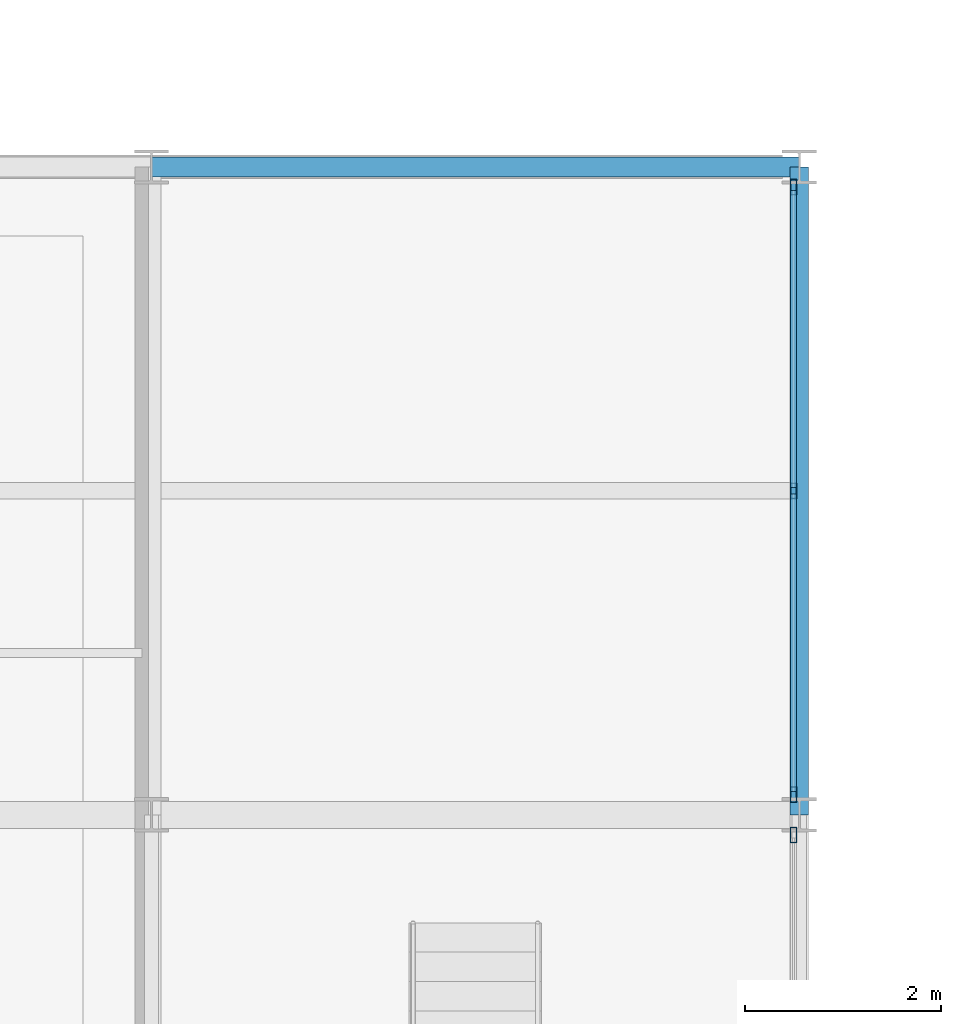
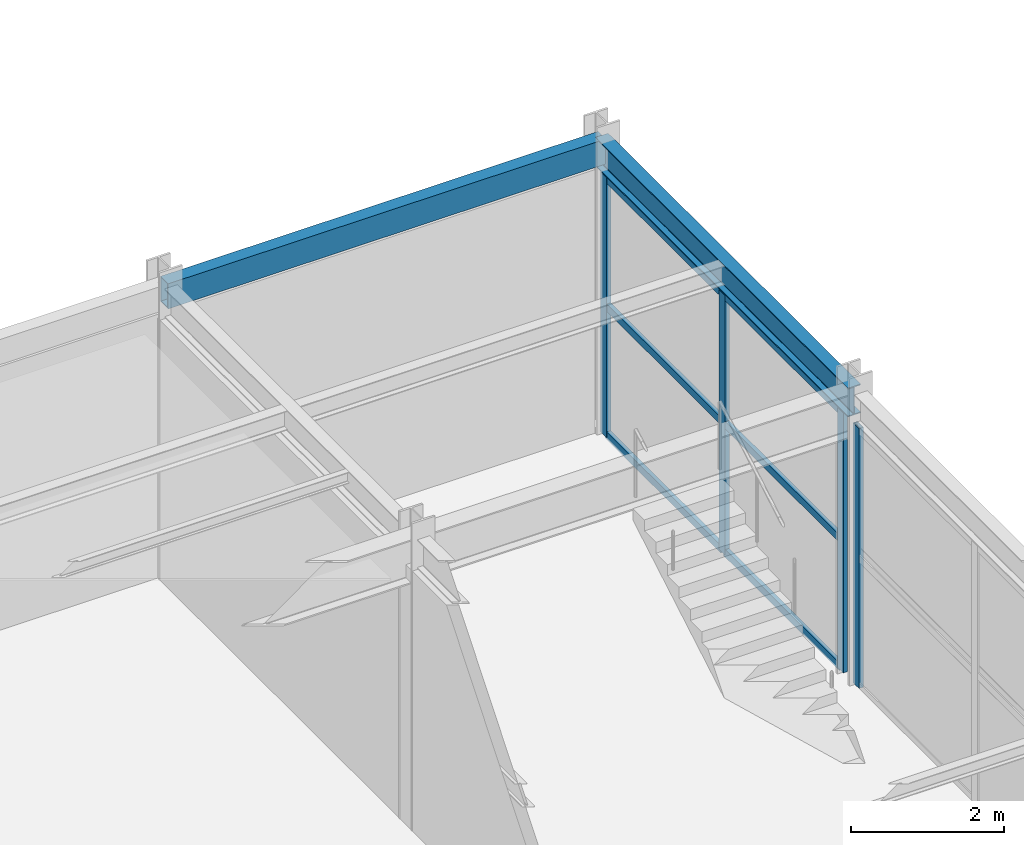
# One storey, part 74 of 144: 10 members, 2 beams, 2 elements without a shape of their own.
"""IFC4 building model written with IfcOpenShell, lengths in metres."""

from ifc_helpers import new_model, si_unit, direction, frame, origin, origin_2d, place, context, subcontext, project, spatial, hollow_rectangle, i_section, extrude, material, material_profile, profile_set, type_object, element, aggregate, save


model = new_model("IFC4")

# Units and contexts
model_context = context("Model", 3, precision=1e-05, world=origin(), true_north=direction((0.0, 1.0)))
body_context = subcontext(model_context, "Body", "Model", "MODEL_VIEW")
ifc_project = project(units=[si_unit("LENGTHUNIT", "METRE"), si_unit("AREAUNIT", "SQUARE_METRE"), si_unit("VOLUMEUNIT", "CUBIC_METRE"), si_unit("PLANEANGLEUNIT", "RADIAN"), si_unit("MASSUNIT", "GRAM", prefix="KILO")], contexts=[model_context])

# Site, building, storey
site_placement = place(None, origin())
site = spatial("IfcSite", under=ifc_project, at=site_placement, CompositionType="ELEMENT")
building_placement = place(site_placement, origin())
building = spatial("IfcBuilding", under=site, at=building_placement, Name="Karori Crest Natural Sciences Institute", CompositionType="ELEMENT")
storey_placement = place(building_placement, origin())
storey = spatial("IfcBuildingStorey", under=building, at=storey_placement, Name="L00", CompositionType="ELEMENT", Elevation=0.0)

# Beams
ifc_material_1 = material(Name="Structural steel AS/NZS 3679.1 Grade 350", Category="steel")
ifc_material_profile_1 = material_profile(ifc_material_1, i_section(OverallWidth=0.19091796875, OverallDepth=0.4599609375, WebThickness=0.010009765625, FlangeThickness=0.01611328125, FilletRadius=0.010986328125, at=origin_2d()), Name="460UB82.1")
ifc_profile_set_1 = profile_set([ifc_material_profile_1], Name="Structural steel AS/NZS 3679.1 Grade 350")
beam_type_1 = type_object("IfcBeamType", Name="BT-06-EL", PredefinedType="BEAM", material=ifc_profile_set_1)
beam_1_placement = place(storey_placement, frame((27.199951171875, 66.800048828125, 4.389892578125), z_axis=(0.0, 1.0, 0.0), x_axis=(-1.0, 0.0, 0.0)))
element("IfcBeam", 1, at=beam_1_placement, inside=storey, type_object=beam_type_1, Name="Beam B-0987", PredefinedType="BEAM", context=body_context, shape_type="SweptSolid", body=[
    extrude(i_section(OverallWidth=0.19091796875, OverallDepth=0.4599609375, WebThickness=0.010009765625, FlangeThickness=0.01611328125, FilletRadius=0.010986328125, at=origin_2d()), origin(), (0.0, 0.0, 1.0), 6.599853515625),
])
ifc_material_2 = material(Name="Hollow structural steel AS/NZS 1163 Grade C350", Category="steel")
ifc_material_profile_2 = material_profile(ifc_material_2, hollow_rectangle(XDim=0.199951171875, YDim=0.39990234375, WallThickness=0.012451171875, at=origin_2d()), Name="RHS400x200x12.5")
ifc_profile_set_2 = profile_set([ifc_material_profile_2], Name="Hollow structural steel AS/NZS 1163 Grade C350")
beam_type_2 = type_object("IfcBeamType", Name="BT-14", PredefinedType="SPANDREL", material=ifc_profile_set_2)
beam_2_placement = place(storey_placement, frame((20.60009765625, 73.39990234375, 4.419921875), z_axis=(1.0, 0.0, 0.0), x_axis=(0.0, 1.0, 0.0)))
element("IfcBeam", 2, at=beam_2_placement, inside=storey, type_object=beam_type_2, Name="Beam B-0959", PredefinedType="SPANDREL", context=body_context, shape_type="SweptSolid", body=[
    extrude(hollow_rectangle(XDim=0.199951171875, YDim=0.39990234375, WallThickness=0.012451171875, at=origin_2d()), origin(), (0.0, 0.0, 1.0), 6.599853515625),
])

# Curtain wall, member
ifc_material_3 = material(Name="Anodised architectural aluminium 6063-T6", Category="aluminium")
curtain_wall_type = type_object("IfcCurtainWallType", Name="CWT-18", PredefinedType="NOTDEFINED", material=ifc_material_3)
curtain_wall_1_placement = place(storey_placement, origin())
curtain_wall_1 = element("IfcCurtainWall", 3, at=curtain_wall_1_placement, inside=storey, type_object=curtain_wall_type, Name="Curtain wall CW-0260", PredefinedType="NOTDEFINED")
ifc_material_profile_3 = material_profile(ifc_material_3, hollow_rectangle(XDim=0.06494140625, YDim=0.159912109375, WallThickness=0.00390625, at=origin_2d()), Name="CWM160x65x4")
ifc_profile_set_3 = profile_set([ifc_material_profile_3], Name="Anodised architectural aluminium 6063-T6")
member_type_1 = type_object("IfcMemberType", Name="CWM-01", PredefinedType="MULLION", material=ifc_profile_set_3)
member_1_placement = place(storey_placement, frame((27.139892578125, 66.594482421875, 0.0), z_axis=(0.0, 0.0, 1.0), x_axis=(1.0, 0.0, 0.0)))
member_1 = element("IfcMember", 4, at=member_1_placement, type_object=member_type_1, Name="CW-0260 mullion 1", PredefinedType="MULLION", context=body_context, shape_type="SweptSolid", body=[
    extrude(hollow_rectangle(XDim=0.06494140625, YDim=0.159912109375, WallThickness=0.00390625, at=origin_2d()), origin(), (0.0, 0.0, 1.0), 4.14501953125),
])
aggregate(curtain_wall_1, [member_1])

# Curtain wall, members
curtain_wall_2_placement = place(storey_placement, origin())
curtain_wall_2 = element("IfcCurtainWall", 5, at=curtain_wall_2_placement, inside=storey, type_object=curtain_wall_type, Name="Curtain wall CW-0261", PredefinedType="NOTDEFINED")
member_2_placement = place(storey_placement, frame((27.139892578125, 73.194580078125, 0.0), z_axis=(0.0, 0.0, 1.0), x_axis=(1.0, 0.0, 0.0)))
member_2 = element("IfcMember", 6, at=member_2_placement, type_object=member_type_1, Name="CW-0261 mullion 1", PredefinedType="MULLION", context=body_context, shape_type="SweptSolid", body=[
    extrude(hollow_rectangle(XDim=0.06494140625, YDim=0.159912109375, WallThickness=0.00390625, at=origin_2d()), origin(), (0.0, 0.0, 1.0), 4.14501953125),
])
member_3_placement = place(storey_placement, frame((27.139892578125, 70.10009765625, 0.0), z_axis=(0.0, 0.0, 1.0), x_axis=(1.0, 0.0, 0.0)))
member_3 = element("IfcMember", 7, at=member_3_placement, type_object=member_type_1, Name="CW-0261 mullion 2", PredefinedType="MULLION", context=body_context, shape_type="SweptSolid", body=[
    extrude(hollow_rectangle(XDim=0.06494140625, YDim=0.159912109375, WallThickness=0.00390625, at=origin_2d()), origin(), (0.0, 0.0, 1.0), 4.14501953125),
])
member_4_placement = place(storey_placement, frame((27.139892578125, 67.005615234375, 0.0), z_axis=(0.0, 0.0, 1.0), x_axis=(1.0, 0.0, 0.0)))
member_4 = element("IfcMember", 8, at=member_4_placement, type_object=member_type_1, Name="CW-0261 mullion 3", PredefinedType="MULLION", context=body_context, shape_type="SweptSolid", body=[
    extrude(hollow_rectangle(XDim=0.06494140625, YDim=0.159912109375, WallThickness=0.00390625, at=origin_2d()), origin(), (0.0, 0.0, 1.0), 4.14501953125),
])
ifc_material_profile_4 = material_profile(ifc_material_3, hollow_rectangle(XDim=0.06005859375, YDim=0.1201171875, WallThickness=0.00390625, at=origin_2d()), Name="CWT120x60x4")
ifc_profile_set_4 = profile_set([ifc_material_profile_4], Name="Anodised architectural aluminium 6063-T6")
member_type_2 = type_object("IfcMemberType", Name="CWT-TR1", PredefinedType="USERDEFINED", material=ifc_profile_set_4)
member_5_placement = place(storey_placement, frame((27.139892578125, 73.162109375, 0.030029296875), z_axis=(0.0, -1.0, 0.0), x_axis=(1.0, 0.0, 0.0)))
member_5 = element("IfcMember", 9, at=member_5_placement, type_object=member_type_2, Name="CW-0261 transom 1.1", ObjectType="TRANSOM", PredefinedType="USERDEFINED", context=body_context, shape_type="SweptSolid", body=[
    extrude(hollow_rectangle(XDim=0.06005859375, YDim=0.1201171875, WallThickness=0.00390625, at=origin_2d()), origin(), (0.0, 0.0, 1.0), 3.029541015625),
])
member_6_placement = place(storey_placement, frame((27.139892578125, 73.162109375, 2.072509765625), z_axis=(0.0, -1.0, 0.0), x_axis=(1.0, 0.0, 0.0)))
member_6 = element("IfcMember", 10, at=member_6_placement, type_object=member_type_2, Name="CW-0261 transom 1.2", ObjectType="TRANSOM", PredefinedType="USERDEFINED", context=body_context, shape_type="SweptSolid", body=[
    extrude(hollow_rectangle(XDim=0.06005859375, YDim=0.1201171875, WallThickness=0.00390625, at=origin_2d()), origin(), (0.0, 0.0, 1.0), 3.029541015625),
])
member_7_placement = place(storey_placement, frame((27.139892578125, 73.162109375, 4.114990234375), z_axis=(0.0, -1.0, 0.0), x_axis=(1.0, 0.0, 0.0)))
member_7 = element("IfcMember", 11, at=member_7_placement, type_object=member_type_2, Name="CW-0261 transom 1.3", ObjectType="TRANSOM", PredefinedType="USERDEFINED", context=body_context, shape_type="SweptSolid", body=[
    extrude(hollow_rectangle(XDim=0.06005859375, YDim=0.1201171875, WallThickness=0.00390625, at=origin_2d()), origin(), (0.0, 0.0, 1.0), 3.029541015625),
])
member_8_placement = place(storey_placement, frame((27.139892578125, 70.0673828125, 0.030029296875), z_axis=(0.0, -1.0, 0.0), x_axis=(1.0, 0.0, 0.0)))
member_8 = element("IfcMember", 12, at=member_8_placement, type_object=member_type_2, Name="CW-0261 transom 2.1", ObjectType="TRANSOM", PredefinedType="USERDEFINED", context=body_context, shape_type="SweptSolid", body=[
    extrude(hollow_rectangle(XDim=0.06005859375, YDim=0.1201171875, WallThickness=0.00390625, at=origin_2d()), origin(), (0.0, 0.0, 1.0), 3.029296875),
])
member_9_placement = place(storey_placement, frame((27.139892578125, 70.0673828125, 2.072509765625), z_axis=(0.0, -1.0, 0.0), x_axis=(1.0, 0.0, 0.0)))
member_9 = element("IfcMember", 13, at=member_9_placement, type_object=member_type_2, Name="CW-0261 transom 2.2", ObjectType="TRANSOM", PredefinedType="USERDEFINED", context=body_context, shape_type="SweptSolid", body=[
    extrude(hollow_rectangle(XDim=0.06005859375, YDim=0.1201171875, WallThickness=0.00390625, at=origin_2d()), origin(), (0.0, 0.0, 1.0), 3.029296875),
])
member_10_placement = place(storey_placement, frame((27.139892578125, 70.0673828125, 4.114990234375), z_axis=(0.0, -1.0, 0.0), x_axis=(1.0, 0.0, 0.0)))
member_10 = element("IfcMember", 14, at=member_10_placement, type_object=member_type_2, Name="CW-0261 transom 2.3", ObjectType="TRANSOM", PredefinedType="USERDEFINED", context=body_context, shape_type="SweptSolid", body=[
    extrude(hollow_rectangle(XDim=0.06005859375, YDim=0.1201171875, WallThickness=0.00390625, at=origin_2d()), origin(), (0.0, 0.0, 1.0), 3.029296875),
])
aggregate(curtain_wall_2, [member_2, member_3, member_4, member_5, member_6, member_7, member_8, member_9, member_10])

save(model, "model.ifc")
